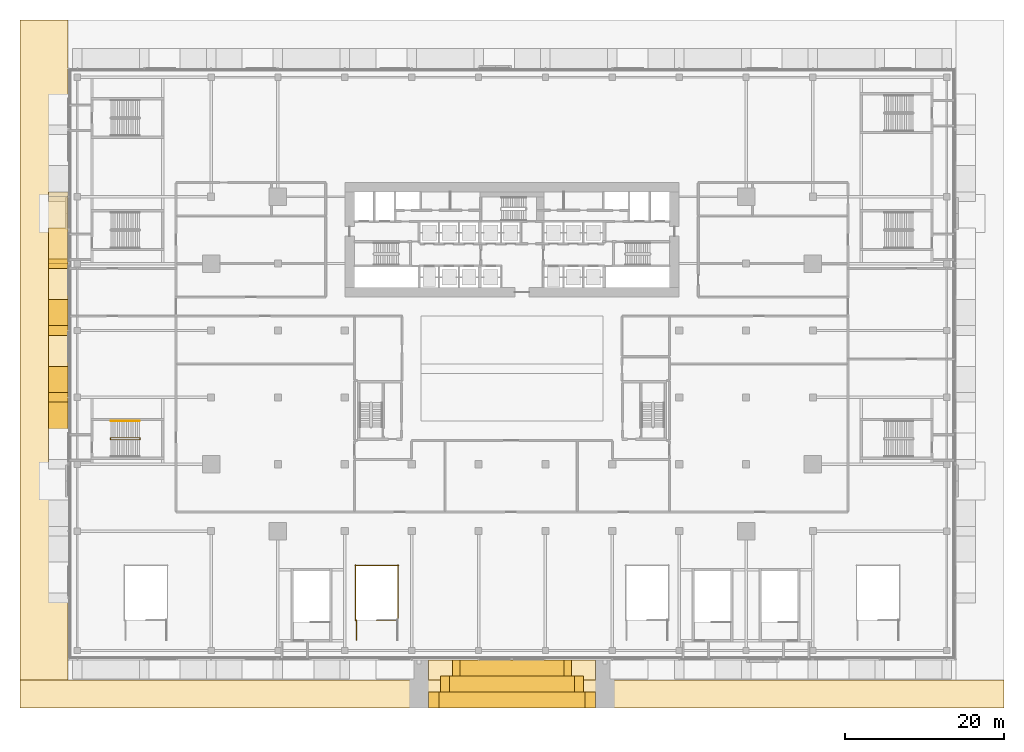
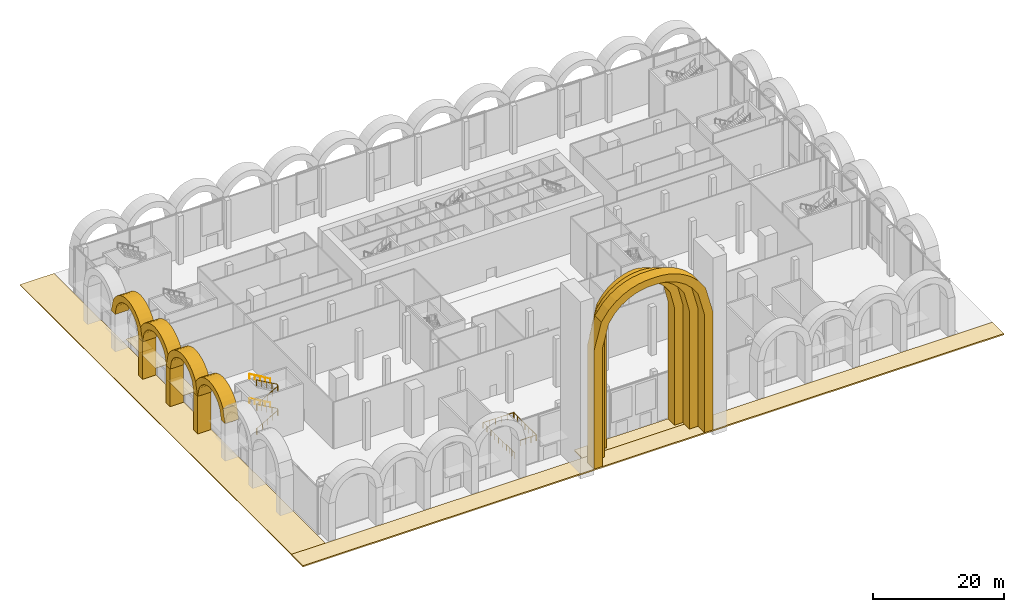
# One storey, part 35 of 43: 16 coverings, 4 railings.
"""IFC4 building model written with IfcOpenShell, lengths in metres."""

import ifcopenshell
import ifcopenshell.guid

model = None  # the IFC model being written
_history = None  # IfcOwnerHistory: only IFC2X3 demands one
_inside = {}  # id of a spatial element -> (the spatial element, [elements in it])
_under = {}  # id of a project, library or spatial element -> (it, [spatial elements below it])
_declared = {}  # id of a project -> (the project, [libraries it declares])
_typed = {}  # id of a type object -> (the type object, [elements of that type])
_made_of = {}  # id of a material, layer set ... -> (it, [elements and type objects made of it])


def new_model(schema):
    """Start an empty IFC model of exactly this schema.

    Asked for "IFC4X3", IfcOpenShell would pick the latest addendum, in which some entities
    have other attributes; the version numbers below select the first issue.
    IFC2X3 requires an IfcOwnerHistory on every rooted entity: one is made here for all.
    """
    global model, _history
    if schema == "IFC4X3":
        model = ifcopenshell.file(schema_version=(4, 3, 0, 0))
    else:
        model = ifcopenshell.file(schema=schema)
    _inside.clear()
    _under.clear()
    _declared.clear()
    _typed.clear()
    _made_of.clear()
    _history = None
    if model.schema == "IFC2X3":
        org = make("IfcOrganization", Name="unknown")
        user = make(
            "IfcPersonAndOrganization",
            ThePerson=make("IfcPerson", FamilyName="unknown"),
            TheOrganization=org,
        )
        app = make(
            "IfcApplication",
            ApplicationDeveloper=org,
            Version="unknown",
            ApplicationFullName="unknown",
            ApplicationIdentifier="unknown",
        )
        _history = make(
            "IfcOwnerHistory",
            OwningUser=user,
            OwningApplication=app,
            ChangeAction="ADDED",
            CreationDate=0,
        )
    return model


def make(cls, **values):
    """One entity of the class cls with the attributes given. An attribute that is None is left unset."""
    return model.create_entity(
        cls, **{name: value for name, value in values.items() if value is not None}
    )


def rooted(cls, **values):
    """An entity with a GlobalId (a new one), such as an element, a storey or a relation."""
    return make(cls, GlobalId=ifcopenshell.guid.new(), OwnerHistory=_history, **values)


def si_unit(unit_type, name, prefix=None):
    """IfcSIUnit, for example si_unit("LENGTHUNIT", "METRE", prefix="MILLI")."""
    return make("IfcSIUnit", UnitType=unit_type, Prefix=prefix, Name=name)


def assignment(units):
    """IfcUnitAssignment: the units of a project."""
    return None if units is None else make("IfcUnitAssignment", Units=units)


def point(xyz):
    """IfcCartesianPoint."""
    return None if xyz is None else make("IfcCartesianPoint", Coordinates=xyz)


def direction(xyz):
    """IfcDirection."""
    return None if xyz is None else make("IfcDirection", DirectionRatios=xyz)


def frame(location, z_axis=None, x_axis=None):
    """IfcAxis2Placement3D, a coordinate frame: its origin and axes. An axis left out is left unset."""
    return make(
        "IfcAxis2Placement3D",
        Location=point(location),
        Axis=direction(z_axis),
        RefDirection=direction(x_axis),
    )


def frame_2d(location, x_axis=None):
    """IfcAxis2Placement2D, a coordinate frame in the plane: its origin and x axis."""
    return make(
        "IfcAxis2Placement2D", Location=point(location), RefDirection=direction(x_axis)
    )


def origin():
    """The frame at (0, 0, 0) with its axes left unset."""
    return frame((0.0, 0.0, 0.0))


def origin_2d():
    """The frame at (0, 0) in the plane with its x axis left unset."""
    return frame_2d((0.0, 0.0))


def place(relative_to, where):
    """IfcLocalPlacement: puts the frame where relative to a parent placement (None: the world)."""
    return make(
        "IfcLocalPlacement", PlacementRelTo=relative_to, RelativePlacement=where
    )


def context(
    kind, dimensions, precision=None, world=None, true_north=None, identifier=None
):
    """IfcGeometricRepresentationContext, for example the 3D "Model" context."""
    return make(
        "IfcGeometricRepresentationContext",
        ContextIdentifier=identifier,
        ContextType=kind,
        CoordinateSpaceDimension=dimensions,
        Precision=precision,
        WorldCoordinateSystem=world,
        TrueNorth=true_north,
    )


def subcontext(parent, identifier, kind, view, scale=None):
    """IfcGeometricRepresentationSubContext, for example "Body" below "Model"."""
    return make(
        "IfcGeometricRepresentationSubContext",
        ContextIdentifier=identifier,
        ContextType=kind,
        ParentContext=parent,
        TargetScale=scale,
        TargetView=view,
    )


def project(units=None, contexts=None):
    """IfcProject with its units and contexts."""
    return rooted(
        "IfcProject",
        Name="project",
        RepresentationContexts=contexts,
        UnitsInContext=assignment(units),
    )


def spatial(cls, under=None, at=None, **own):
    """A site, building, storey or space (cls), placed at a placement, below another one or the project."""
    s = rooted(cls, ObjectPlacement=at, **own)
    if under is not None:
        _under.setdefault(under.id(), (under, []))[1].append(s)
    return s


def polyline(points):
    """IfcPolyline through the points."""
    return make("IfcPolyline", Points=[point(p) for p in points])


def profile(cls, at=None, kind="AREA", **sizes):
    """A parametric profile (cls). Its sizes go by their IFC names, for example OverallWidth=200.0."""
    return make(cls, ProfileType=kind, Position=at, **sizes)


def circle(**sizes):
    """IfcCircleProfileDef."""
    return profile("IfcCircleProfileDef", **sizes)


def outline(outer, holes=None, kind="AREA"):
    """IfcArbitraryClosedProfileDef: a profile drawn as a closed curve; with holes, ...WithVoids."""
    if holes is None:
        return make("IfcArbitraryClosedProfileDef", ProfileType=kind, OuterCurve=outer)
    return make(
        "IfcArbitraryProfileDefWithVoids",
        ProfileType=kind,
        OuterCurve=outer,
        InnerCurves=holes,
    )


def extrude(swept, where, along, depth):
    """IfcExtrudedAreaSolid: the profile swept, set in the frame where, extruded along a direction by depth."""
    return make(
        "IfcExtrudedAreaSolid",
        SweptArea=swept,
        Position=where,
        ExtrudedDirection=direction(along),
        Depth=depth,
    )


def shape(context_of_items, identifier, shape_type, items):
    """IfcShapeRepresentation: the items that make up one representation, for example the "Body"."""
    return make(
        "IfcShapeRepresentation",
        ContextOfItems=context_of_items,
        RepresentationIdentifier=identifier,
        RepresentationType=shape_type,
        Items=items,
    )


def material(Name=None, Category=None):
    """IfcMaterial."""
    return make("IfcMaterial", Name=Name, Category=Category)


def layer(
    of_material, thickness, ventilated=None, Name=None, Category=None, Priority=None
):
    """IfcMaterialLayer: one layer of a wall or slab, of a material (None: an air gap)."""
    return make(
        "IfcMaterialLayer",
        Material=of_material,
        LayerThickness=thickness,
        IsVentilated=ventilated,
        Name=Name,
        Category=Category,
        Priority=Priority,
    )


def layer_set(layers, Name=None):
    """IfcMaterialLayerSet."""
    return make("IfcMaterialLayerSet", MaterialLayers=layers, LayerSetName=Name)


def made_of(thing, what):
    """Note that an element or type object is made of a material, layer set ...; save() writes the relation."""
    if what is not None:
        _made_of.setdefault(what.id(), (what, []))[1].append(thing)
    return thing


def type_object(cls, material=None, **own):
    """A type object (cls), such as IfcWallType, which elements share."""
    return made_of(rooted(cls, **own), material)


def element(
    cls,
    number,
    at=None,
    inside=None,
    cuts=None,
    type_object=None,
    material=None,
    context=None,
    identifier="Body",
    shape_type=None,
    held_by="IfcProductDefinitionShape",
    body=None,
    shapes=None,
    **own,
):
    """One element of the class cls, such as IfcWall. Its Tag is "e" and its number.

    at: its placement. inside: the storey or other place that contains it. cuts: it is an
    opening in that element (IfcRelVoidsElement). A single representation is given by context,
    identifier, shape_type and body (its items); several are given by shapes. held_by: the class
    of the entity that holds the representations. save() writes the other relations.
    """
    e = rooted(cls, Tag="e%d" % number, ObjectPlacement=at, **own)
    if body is not None:
        shapes = [shape(context, identifier, shape_type, body)]
    if shapes is not None:
        e.Representation = make(held_by, Representations=shapes)
    if inside is not None:
        _inside.setdefault(inside.id(), (inside, []))[1].append(e)
    if cuts is not None:
        rooted(
            "IfcRelVoidsElement", RelatingBuildingElement=cuts, RelatedOpeningElement=e
        )
    if type_object is not None:
        _typed.setdefault(type_object.id(), (type_object, []))[1].append(e)
    return made_of(e, material)


def aggregate(whole, parts):
    """IfcRelAggregates: a whole, such as a stair, and the parts it consists of."""
    return rooted("IfcRelAggregates", RelatingObject=whole, RelatedObjects=parts)


def save(model, path):
    """Write the relations noted so far, then the file.

    IfcRelAggregates (storeys below a building ...), IfcRelContainedInSpatialStructure (elements
    in a storey), IfcRelDefinesByType, IfcRelAssociatesMaterial and IfcRelDeclares: one each for
    every whole, place, type object, material and project.
    """
    for whole, parts in _under.values():
        aggregate(whole, parts)
    for where, things in _inside.values():
        rooted(
            "IfcRelContainedInSpatialStructure",
            RelatedElements=things,
            RelatingStructure=where,
        )
    for kind, things in _typed.values():
        rooted("IfcRelDefinesByType", RelatedObjects=things, RelatingType=kind)
    for what, things in _made_of.values():
        rooted("IfcRelAssociatesMaterial", RelatedObjects=things, RelatingMaterial=what)
    for by, libraries in _declared.values():
        rooted("IfcRelDeclares", RelatingContext=by, RelatedDefinitions=libraries)
    model.write(path)


model = new_model("IFC4")

# Units and contexts
model_context = context("Model", 3, precision=1e-05, world=origin(), true_north=direction((0.0, 1.0)))
body_context = subcontext(model_context, "Body", "Model", "MODEL_VIEW")
ifc_project = project(units=[si_unit("LENGTHUNIT", "METRE"), si_unit("AREAUNIT", "SQUARE_METRE"), si_unit("VOLUMEUNIT", "CUBIC_METRE"), si_unit("PLANEANGLEUNIT", "RADIAN"), si_unit("MASSUNIT", "GRAM", prefix="KILO")], contexts=[model_context])

# Site, building, storey
site_placement = place(None, origin())
site = spatial("IfcSite", under=ifc_project, at=site_placement, CompositionType="ELEMENT")
building_placement = place(site_placement, origin())
building = spatial("IfcBuilding", under=site, at=building_placement, Name="Saffron Gate Tower", CompositionType="ELEMENT")
storey_placement = place(building_placement, origin())
storey = spatial("IfcBuildingStorey", under=building, at=storey_placement, Name="L00", CompositionType="ELEMENT", Elevation=0.0)

# Coverings
ifc_material_1 = material(Name="Cast stone cladding, pale limestone", Category="masonry")
ifc_layer_1 = layer(ifc_material_1, 1.199951171875)
ifc_layer_set_1 = layer_set([ifc_layer_1], Name="AR1 arcade pier")
covering_type_1 = type_object("IfcCoveringType", Name="AR1 arcade pier", PredefinedType="CLADDING", material=ifc_layer_set_1)
covering_1_placement = place(storey_placement, origin())
element("IfcCovering", 1, at=covering_1_placement, inside=storey, type_object=covering_type_1, Name="ARCADE PIER", PredefinedType="CLADDING", context=body_context, shape_type="SweptSolid", body=[
    extrude(outline(polyline([(31.800048828125, 66.0), (31.800048828125, 64.800048828125), (29.39990234375, 64.800048828125), (29.39990234375, 66.0), (31.800048828125, 66.0)])), origin(), (0.0, 0.0, 1.0), 7.0),
])
covering_2_placement = place(storey_placement, origin())
element("IfcCovering", 2, at=covering_2_placement, inside=storey, type_object=covering_type_1, Name="ARCADE PIER", PredefinedType="CLADDING", context=body_context, shape_type="SweptSolid", body=[
    extrude(outline(polyline([(31.800048828125, 57.60009765625), (31.800048828125, 56.39990234375), (29.39990234375, 56.39990234375), (29.39990234375, 57.60009765625), (31.800048828125, 57.60009765625)])), origin(), (0.0, 0.0, 1.0), 7.0),
])
covering_3_placement = place(storey_placement, origin())
element("IfcCovering", 3, at=covering_3_placement, inside=storey, type_object=covering_type_1, Name="ARCADE PIER", PredefinedType="CLADDING", context=body_context, shape_type="SweptSolid", body=[
    extrude(outline(polyline([(31.800048828125, 49.199951171875), (31.800048828125, 48.0), (29.39990234375, 48.0), (29.39990234375, 49.199951171875), (31.800048828125, 49.199951171875)])), origin(), (0.0, 0.0, 1.0), 7.0),
])
ifc_layer_2 = layer(ifc_material_1, 2.39990234375)
ifc_layer_set_2 = layer_set([ifc_layer_2], Name="AR2 arcade arch")
covering_type_2 = type_object("IfcCoveringType", Name="AR2 arcade arch", PredefinedType="CLADDING", material=ifc_layer_set_2)
covering_4_placement = place(storey_placement, frame((29.39990234375, 73.199951171875, 7.0), z_axis=(-1.0, 0.0, 0.0), x_axis=(0.0, -0.239115028028, 0.970991247835)))
element("IfcCovering", 4, at=covering_4_placement, inside=storey, type_object=covering_type_2, Name="ARCADE ARCH", PredefinedType="CLADDING", context=body_context, shape_type="SweptSolid", body=[
    extrude(outline(polyline([(0.0, 0.0), (1.881735228381075, 0.0), (2.646925345116447, -0.2749589311548678), (3.203267002539746, -0.6013486093049456), (3.6394784237266933, -0.9575728359066504), (3.990290439579541, -1.334575973358484), (4.272829633319021, -1.7283918862185135), (4.4965783413497675, -2.136685466791156), (4.666988907104446, -2.558114028151451), (4.7118168931901065, -3.0107198248883336), (4.70324835930731, -3.4762235440027536), (4.63588933971578, -3.956204930829786), (4.500257498010882, -4.452999093065014), (4.279284628664273, -4.970809224560487), (3.9381815230813135, -5.518453904507588), (3.3881715804938914, -6.117292273039781), (1.721616526260766, -6.991089572726843), (2.0085428843554953, -8.156231658446298), (4.17216134140188, -7.005647442456348), (4.878523373773681, -6.213673843174959), (5.310371767231315, -5.489301611680691), (5.5839235204239435, -4.804162737112771), (5.743391800658454, -4.146866474174116), (5.8116509706907475, -3.512282681215563), (5.800200137231722, -2.897076734489788), (5.715735313457013, -2.29985111702), (5.513273779136993, -1.7319346487703329), (5.237739876808899, -1.1817614513665375), (4.882612726374266, -0.6514402170157529), (4.436159710352636, -0.14335733582483634), (3.8756815990652784, 0.3366458753266979), (3.1569068475129147, 0.7774157295518843), (2.1635600793539953, 1.1508212744000663), (-0.2869263580947294, 1.1651420857194545), (0.0, 0.0)])), origin(), (0.0, 0.0, -1.0), 2.39990234375),
])
covering_5_placement = place(storey_placement, frame((29.39990234375, 64.800048828125, 7.0), z_axis=(-1.0, 0.0, 0.0), x_axis=(0.0, -0.239115028028, 0.970991247835)))
element("IfcCovering", 5, at=covering_5_placement, inside=storey, type_object=covering_type_2, Name="ARCADE ARCH", PredefinedType="CLADDING", context=body_context, shape_type="SweptSolid", body=[
    extrude(outline(polyline([(0.0, 0.0), (1.881735228381075, 0.0), (2.6469837228088364, -0.2751959895649837), (3.203325380232136, -0.6015856677150615), (3.6394784237266933, -0.9575728359066504), (3.990290439579541, -1.334575973358484), (4.272829633319021, -1.7283918862185135), (4.496636719042157, -2.1369225252012716), (4.667047284796835, -2.5583510865615673), (4.7118168931901065, -3.0107198248883336), (4.70324835930731, -3.4762235440027536), (4.63588933971578, -3.956204930829786), (4.50031587570327, -4.45323615147513), (4.2793430063566635, -4.971046282970603), (3.9381815230813135, -5.518453904507588), (3.3881715804938914, -6.117292273039781), (1.721616526260766, -6.991089572726843), (2.008601262047885, -8.156468716856415), (4.17216134140188, -7.005647442456348), (4.878523373773681, -6.213673843174959), (5.310430144923704, -5.489538670090807), (5.5839235204239435, -4.804162737112771), (5.743450178350844, -4.147103532584232), (5.8116509706907475, -3.512282681215563), (5.800200137231722, -2.897076734489788), (5.715793691149402, -2.300088175430116), (5.513273779136993, -1.7319346487703329), (5.237798254501289, -1.1819985097766537), (4.882612726374266, -0.6514402170157529), (4.436159710352636, -0.14335733582483634), (3.875739976757668, 0.336408816916582), (3.1569068475129147, 0.7774157295518843), (2.163618457046385, 1.1505842159899504), (-0.2869263580947294, 1.1651420857194545), (0.0, 0.0)])), origin(), (0.0, 0.0, -1.0), 2.39990234375),
])
covering_6_placement = place(storey_placement, frame((29.39990234375, 56.39990234375, 7.0), z_axis=(-1.0, 0.0, 0.0), x_axis=(0.0, -0.239115028028, 0.970991247835)))
element("IfcCovering", 6, at=covering_6_placement, inside=storey, type_object=covering_type_2, Name="ARCADE ARCH", PredefinedType="CLADDING", context=body_context, shape_type="SweptSolid", body=[
    extrude(outline(polyline([(0.0, 0.0), (1.881735228381075, 0.0), (2.646925345116447, -0.2749589311548678), (3.203267002539746, -0.6013486093049456), (3.639420046034304, -0.9573357774965345), (3.990290439579541, -1.334575973358484), (4.272829633319021, -1.7283918862185135), (4.4965783413497675, -2.136685466791156), (4.666988907104446, -2.558114028151451), (4.711758515497717, -3.010482766478218), (4.70324835930731, -3.4762235440027536), (4.63588933971578, -3.956204930829786), (4.500257498010882, -4.452999093065014), (4.279284628664273, -4.970809224560487), (3.938123145388924, -5.518216846097472), (3.3881715804938914, -6.117292273039781), (1.721616526260766, -6.991089572726843), (2.0085428843554953, -8.156231658446298), (4.172102963709491, -7.005410384046232), (4.878523373773681, -6.213673843174959), (5.310371767231315, -5.489301611680691), (5.5839235204239435, -4.804162737112771), (5.743391800658454, -4.146866474174116), (5.811592592998358, -3.512045622805447), (5.800200137231722, -2.897076734489788), (5.715735313457013, -2.29985111702), (5.513273779136993, -1.7319346487703329), (5.237739876808899, -1.1817614513665375), (4.882554348681876, -0.651203158605637), (4.436159710352636, -0.14335733582483634), (3.8756815990652784, 0.3366458753266979), (3.1569068475129147, 0.7774157295518843), (2.1635600793539953, 1.1508212744000663), (-0.28698473578711897, 1.1653791441295704), (0.0, 0.0)])), origin(), (0.0, 0.0, -1.0), 2.39990234375),
])
covering_7_placement = place(storey_placement, frame((29.39990234375, 48.0, 7.0), z_axis=(-1.0, 0.0, 0.0), x_axis=(0.0, -0.239115028028, 0.970991247835)))
element("IfcCovering", 7, at=covering_7_placement, inside=storey, type_object=covering_type_2, Name="ARCADE ARCH", PredefinedType="CLADDING", context=body_context, shape_type="SweptSolid", body=[
    extrude(outline(polyline([(0.0, 0.0), (1.881735228381075, 0.0), (2.646925345116447, -0.2749589311548678), (3.203325380232136, -0.6015856677150615), (3.6394784237266933, -0.9575728359066504), (3.990290439579541, -1.334575973358484), (4.272829633319021, -1.7283918862185135), (4.4965783413497675, -2.136685466791156), (4.667047284796835, -2.5583510865615673), (4.7118168931901065, -3.0107198248883336), (4.70324835930731, -3.4762235440027536), (4.63588933971578, -3.956204930829786), (4.500257498010882, -4.452999093065014), (4.2793430063566635, -4.971046282970603), (3.9381815230813135, -5.518453904507588), (3.3881715804938914, -6.117292273039781), (1.721616526260766, -6.991089572726843), (2.0085428843554953, -8.156231658446298), (4.17216134140188, -7.005647442456348), (4.878523373773681, -6.213673843174959), (5.310430144923704, -5.489538670090807), (5.5839235204239435, -4.804162737112771), (5.743391800658454, -4.146866474174116), (5.8116509706907475, -3.512282681215563), (5.800200137231722, -2.897076734489788), (5.715793691149402, -2.300088175430116), (5.513273779136993, -1.7319346487703329), (5.237739876808899, -1.1817614513665375), (4.882612726374266, -0.6514402170157529), (4.436159710352636, -0.14335733582483634), (3.875739976757668, 0.336408816916582), (3.1569068475129147, 0.7774157295518843), (2.1635600793539953, 1.1508212744000663), (-0.2869263580947294, 1.1651420857194545), (0.0, 0.0)])), origin(), (0.0, 0.0, -1.0), 2.39990234375),
])
ifc_material_2 = material(Name="Bronze-anodised aluminium soffit panels", Category="aluminium")
ifc_layer_3 = layer(ifc_material_2, 0.030029296875)
ifc_layer_set_3 = layer_set([ifc_layer_3], Name="CE1 canopy soffit lining")
covering_type_3 = type_object("IfcCoveringType", Name="CE1 canopy soffit lining", PredefinedType="CEILING", material=ifc_layer_set_3)
covering_8_placement = place(storey_placement, frame((0.0, 0.0, 4.3701171875)))
element("IfcCovering", 8, at=covering_8_placement, inside=storey, type_object=covering_type_3, Name="ENTRANCE CANOPY soffit lining", PredefinedType="CEILING", context=body_context, shape_type="SweptSolid", body=[
    extrude(outline(polyline([(31.800048828125, 57.300048828125), (31.800048828125, 52.5), (29.39990234375, 52.5), (29.39990234375, 57.300048828125), (31.800048828125, 57.300048828125)])), origin(), (0.0, 0.0, 1.0), 0.02978515625),
])
covering_9_placement = place(storey_placement, frame((0.0, 0.0, 4.3701171875)))
element("IfcCovering", 9, at=covering_9_placement, inside=storey, type_object=covering_type_3, Name="ENTRANCE CANOPY soffit lining", PredefinedType="CEILING", context=body_context, shape_type="SweptSolid", body=[
    extrude(outline(polyline([(31.800048828125, 65.699951171875), (31.800048828125, 60.89990234375), (29.39990234375, 60.89990234375), (29.39990234375, 65.699951171875), (31.800048828125, 65.699951171875)])), origin(), (0.0, 0.0, 1.0), 0.02978515625),
])
covering_10_placement = place(storey_placement, frame((0.0, 0.0, 4.3701171875)))
element("IfcCovering", 10, at=covering_10_placement, inside=storey, type_object=covering_type_3, Name="ENTRANCE CANOPY soffit lining", PredefinedType="CEILING", context=body_context, shape_type="SweptSolid", body=[
    extrude(outline(polyline([(31.800048828125, 69.89990234375), (31.800048828125, 65.10009765625), (29.39990234375, 65.10009765625), (29.39990234375, 69.89990234375), (31.800048828125, 69.89990234375)])), origin(), (0.0, 0.0, 1.0), 0.02978515625),
])

# Railings
ifc_material_3 = material(Name="Stainless steel and laminated glass", Category="steel")
railing_type_1 = type_object("IfcRailingType", Name="CR1 Stair guard 1100", PredefinedType="GUARDRAIL", material=ifc_material_3)
railing_1_placement = place(storey_placement, frame((68.050048828125, 18.10009765625, 0.0)))
element("IfcRailing", 11, at=railing_1_placement, inside=storey, type_object=railing_type_1, Name="L00 SS2 top well guard 1", PredefinedType="GUARDRAIL", context=body_context, shape_type="SweptSolid", body=[
    extrude(circle(Radius=0.02392578125, at=origin_2d()), frame((0.0, 0.0, 1.076171875), z_axis=(0.0, 1.0, 0.0), x_axis=(-1.0, 0.0, 0.0)), (0.0, 0.0, 1.0), 2.5498046875),
    extrude(circle(Radius=0.02392578125, at=origin_2d()), frame((0.0, 2.5498046875, 1.076171875), z_axis=(-0.707969631694, -0.706242876495, 0.0), x_axis=(0.706242876495, -0.707969631694, 0.0)), (0.0, 0.0, 1.0), 0.141357421875),
    extrude(circle(Radius=0.02392578125, at=origin_2d()), frame((-0.10009765625, 2.449951171875, 1.076171875), z_axis=(0.0, 1.0, 0.0), x_axis=(-1.0, 0.0, 0.0)), (0.0, 0.0, 1.0), 7.0),
    extrude(circle(Radius=0.02392578125, at=origin_2d()), frame((-0.10009765625, 9.449951171875, 1.076171875), z_axis=(-0.707106781187, -0.707106781187, 0.0), x_axis=(0.707106781187, -0.707106781187, 0.0)), (0.0, 0.0, 1.0), 0.07080078125),
    extrude(circle(Radius=0.02392578125, at=origin_2d()), frame((-0.150146484375, 9.39990234375, 1.076171875), z_axis=(1.0, 0.0, 0.0), x_axis=(0.0, 1.0, 0.0)), (0.0, 0.0, 1.0), 5.4501953125),
    extrude(circle(Radius=0.02392578125, at=origin_2d()), frame((5.300048828125, 9.39990234375, 1.076171875), z_axis=(-0.707106781187, 0.707106781187, 0.0), x_axis=(-0.707106781187, -0.707106781187, 0.0)), (0.0, 0.0, 1.0), 0.07080078125),
    extrude(circle(Radius=0.02392578125, at=origin_2d()), frame((5.25, 9.449951171875, 1.076171875), z_axis=(0.0, -1.0, 0.0), x_axis=(1.0, 0.0, 0.0)), (0.0, 0.0, 1.0), 7.0),
    extrude(circle(Radius=0.02392578125, at=origin_2d()), frame((5.25, 2.449951171875, 1.076171875), z_axis=(-0.707106781187, 0.707106781187, 0.0), x_axis=(-0.707106781187, -0.707106781187, 0.0)), (0.0, 0.0, 1.0), 0.07080078125),
    extrude(circle(Radius=0.02392578125, at=origin_2d()), frame((5.199951171875, 2.5, 1.076171875), z_axis=(-1.0, 0.0, 0.0), x_axis=(0.0, -1.0, 0.0)), (0.0, 0.0, 1.0), 2.699951171875),
    extrude(circle(Radius=0.02099609375, at=origin_2d()), origin(), (0.0, 0.0, 1.0), 1.052001953125),
    extrude(circle(Radius=0.02099609375, at=origin_2d()), frame((0.0, 0.849853515625, 0.0)), (0.0, 0.0, 1.0), 1.052001953125),
    extrude(circle(Radius=0.02099609375, at=origin_2d()), frame((0.0, 1.699951171875, 0.0)), (0.0, 0.0, 1.0), 1.052001953125),
    extrude(circle(Radius=0.02099609375, at=origin_2d()), frame((0.0, 2.5498046875, 0.0)), (0.0, 0.0, 1.0), 1.052001953125),
    extrude(circle(Radius=0.02099609375, at=origin_2d()), frame((-0.10009765625, 2.449951171875, 0.0)), (0.0, 0.0, 1.0), 1.052001953125),
    extrude(circle(Radius=0.02099609375, at=origin_2d()), frame((-0.10009765625, 3.61669921875, 0.0)), (0.0, 0.0, 1.0), 1.052001953125),
    extrude(circle(Radius=0.02099609375, at=origin_2d()), frame((-0.10009765625, 4.783203125, 0.0)), (0.0, 0.0, 1.0), 1.052001953125),
    extrude(circle(Radius=0.02099609375, at=origin_2d()), frame((-0.10009765625, 5.949951171875, 0.0)), (0.0, 0.0, 1.0), 1.052001953125),
    extrude(circle(Radius=0.02099609375, at=origin_2d()), frame((-0.10009765625, 7.11669921875, 0.0)), (0.0, 0.0, 1.0), 1.052001953125),
    extrude(circle(Radius=0.02099609375, at=origin_2d()), frame((-0.10009765625, 8.283203125, 0.0)), (0.0, 0.0, 1.0), 1.052001953125),
    extrude(circle(Radius=0.02099609375, at=origin_2d()), frame((-0.10009765625, 9.449951171875, 0.0)), (0.0, 0.0, 1.0), 1.052001953125),
    extrude(circle(Radius=0.02099609375, at=origin_2d()), frame((-0.150146484375, 9.39990234375, 0.0)), (0.0, 0.0, 1.0), 1.052001953125),
    extrude(circle(Radius=0.02099609375, at=origin_2d()), frame((0.93994140625, 9.39990234375, 0.0)), (0.0, 0.0, 1.0), 1.052001953125),
    extrude(circle(Radius=0.02099609375, at=origin_2d()), frame((2.030029296875, 9.39990234375, 0.0)), (0.0, 0.0, 1.0), 1.052001953125),
    extrude(circle(Radius=0.02099609375, at=origin_2d()), frame((3.119873046875, 9.39990234375, 0.0)), (0.0, 0.0, 1.0), 1.052001953125),
    extrude(circle(Radius=0.02099609375, at=origin_2d()), frame((4.2099609375, 9.39990234375, 0.0)), (0.0, 0.0, 1.0), 1.052001953125),
    extrude(circle(Radius=0.02099609375, at=origin_2d()), frame((5.300048828125, 9.39990234375, 0.0)), (0.0, 0.0, 1.0), 1.052001953125),
    extrude(circle(Radius=0.02099609375, at=origin_2d()), frame((5.25, 9.449951171875, 0.0)), (0.0, 0.0, 1.0), 1.052001953125),
    extrude(circle(Radius=0.02099609375, at=origin_2d()), frame((5.25, 8.283203125, 0.0)), (0.0, 0.0, 1.0), 1.052001953125),
    extrude(circle(Radius=0.02099609375, at=origin_2d()), frame((5.25, 7.11669921875, 0.0)), (0.0, 0.0, 1.0), 1.052001953125),
    extrude(circle(Radius=0.02099609375, at=origin_2d()), frame((5.25, 5.949951171875, 0.0)), (0.0, 0.0, 1.0), 1.052001953125),
    extrude(circle(Radius=0.02099609375, at=origin_2d()), frame((5.25, 4.783203125, 0.0)), (0.0, 0.0, 1.0), 1.052001953125),
    extrude(circle(Radius=0.02099609375, at=origin_2d()), frame((5.25, 3.61669921875, 0.0)), (0.0, 0.0, 1.0), 1.052001953125),
    extrude(circle(Radius=0.02099609375, at=origin_2d()), frame((5.25, 2.449951171875, 0.0)), (0.0, 0.0, 1.0), 1.052001953125),
    extrude(circle(Radius=0.02099609375, at=origin_2d()), frame((5.199951171875, 2.5, 0.0)), (0.0, 0.0, 1.0), 1.052001953125),
    extrude(circle(Radius=0.02099609375, at=origin_2d()), frame((4.300048828125, 2.5, 0.0)), (0.0, 0.0, 1.0), 1.052001953125),
    extrude(circle(Radius=0.02099609375, at=origin_2d()), frame((3.39990234375, 2.5, 0.0)), (0.0, 0.0, 1.0), 1.052001953125),
    extrude(circle(Radius=0.02099609375, at=origin_2d()), frame((2.5, 2.5, 0.0)), (0.0, 0.0, 1.0), 1.052001953125),
])
railing_2_placement = place(storey_placement, frame((37.14990234375, 43.47509765625, 0.0)))
element("IfcRailing", 12, at=railing_2_placement, inside=storey, type_object=railing_type_1, Name="L00 ST-H stair guard 1", PredefinedType="GUARDRAIL", context=body_context, shape_type="SweptSolid", body=[
    extrude(circle(Radius=0.02392578125, at=origin_2d()), frame((0.0, 0.0, 1.076171875), z_axis=(0.0, -1.0, 0.0), x_axis=(1.0, 0.0, 0.0)), (0.0, 0.0, 1.0), 0.150146484375),
    extrude(circle(Radius=0.02392578125, at=origin_2d()), frame((0.0, -0.150146484375, 1.076171875), z_axis=(0.285103605394, -0.285103605394, 0.91511303585), x_axis=(0.707106781187, 0.707106781187, 0.0)), (0.0, 0.0, 1.0), 0.175537109375),
    extrude(circle(Radius=0.02392578125, at=origin_2d()), frame((0.050048828125, -0.2001953125, 1.23681640625), z_axis=(0.867289372828, 0.0, 0.497804322781), x_axis=(0.0, 1.0, 0.0)), (0.0, 0.0, 1.0), 4.197021484375),
    extrude(circle(Radius=0.02392578125, at=origin_2d()), frame((3.690185546875, -0.2001953125, 3.326171875), z_axis=(0.705375805398, 0.708833529934, 0.0), x_axis=(-0.708833529934, 0.705375805398, 0.0)), (0.0, 0.0, 1.0), 0.070556640625),
    extrude(circle(Radius=0.02392578125, at=origin_2d()), frame((3.739990234375, -0.150146484375, 3.326171875), z_axis=(0.0, 1.0, 0.0), x_axis=(-1.0, 0.0, 0.0)), (0.0, 0.0, 1.0), 0.150146484375),
    extrude(circle(Radius=0.02392578125, at=origin_2d()), frame((3.739990234375, 0.0, 3.326171875), z_axis=(-0.283937562652, 0.283937562652, 0.915837824634), x_axis=(-0.707106781187, -0.707106781187, 0.0)), (0.0, 0.0, 1.0), 0.17529296875),
    extrude(circle(Radius=0.02392578125, at=origin_2d()), frame((3.690185546875, 0.0498046875, 3.48681640625), z_axis=(-0.867289372828, 0.0, 0.497804322781), x_axis=(0.0, -1.0, 0.0)), (0.0, 0.0, 1.0), 4.197021484375),
    extrude(circle(Radius=0.02392578125, at=origin_2d()), frame((0.050048828125, 0.0498046875, 5.576171875), z_axis=(-0.708833529934, -0.705375805398, 0.0), x_axis=(0.705375805398, -0.708833529934, 0.0)), (0.0, 0.0, 1.0), 0.070556640625),
    extrude(circle(Radius=0.02392578125, at=origin_2d()), frame((0.0, 0.0, 5.576171875), z_axis=(0.0, -1.0, 0.0), x_axis=(1.0, 0.0, 0.0)), (0.0, 0.0, 1.0), 0.150146484375),
    extrude(circle(Radius=0.02392578125, at=origin_2d()), frame((0.0, -0.150146484375, 5.576171875), z_axis=(0.285103605394, -0.285103605394, 0.91511303585), x_axis=(0.707106781187, 0.707106781187, 0.0)), (0.0, 0.0, 1.0), 0.175537109375),
    extrude(circle(Radius=0.02392578125, at=origin_2d()), frame((0.050048828125, -0.2001953125, 5.73681640625), z_axis=(0.867289372828, 0.0, 0.497804322781), x_axis=(0.0, 1.0, 0.0)), (0.0, 0.0, 1.0), 4.197021484375),
    extrude(circle(Radius=0.02392578125, at=origin_2d()), frame((3.690185546875, -0.2001953125, 7.826171875), z_axis=(0.705375805398, 0.708833529934, 0.0), x_axis=(-0.708833529934, 0.705375805398, 0.0)), (0.0, 0.0, 1.0), 0.070556640625),
    extrude(circle(Radius=0.02392578125, at=origin_2d()), frame((3.739990234375, -0.150146484375, 7.826171875), z_axis=(0.0, 1.0, 0.0), x_axis=(-1.0, 0.0, 0.0)), (0.0, 0.0, 1.0), 0.150146484375),
    extrude(circle(Radius=0.02392578125, at=origin_2d()), frame((3.739990234375, 0.0, 7.826171875), z_axis=(-0.283937562652, 0.283937562652, 0.915837824634), x_axis=(-0.707106781187, -0.707106781187, 0.0)), (0.0, 0.0, 1.0), 0.17529296875),
    extrude(circle(Radius=0.02392578125, at=origin_2d()), frame((3.690185546875, 0.0498046875, 7.98681640625), z_axis=(-0.867289372828, 0.0, 0.497804322781), x_axis=(0.0, -1.0, 0.0)), (0.0, 0.0, 1.0), 4.197021484375),
    extrude(circle(Radius=0.02099609375, at=origin_2d()), origin(), (0.0, 0.0, 1.0), 1.052001953125),
    extrude(circle(Radius=0.02099609375, at=origin_2d()), frame((0.0, -0.150146484375, 0.0)), (0.0, 0.0, 1.0), 1.052001953125),
    extrude(circle(Radius=0.02099609375, at=origin_2d()), frame((0.050048828125, -0.2001953125, 0.16064453125)), (0.0, 0.0, 1.0), 1.052001953125),
    extrude(circle(Radius=0.02099609375, at=origin_2d()), frame((0.9599609375, -0.2001953125, 0.68310546875)), (0.0, 0.0, 1.0), 1.052001953125),
    extrude(circle(Radius=0.02099609375, at=origin_2d()), frame((1.8701171875, -0.2001953125, 1.205322265625)), (0.0, 0.0, 1.0), 1.052001953125),
    extrude(circle(Radius=0.02099609375, at=origin_2d()), frame((2.7802734375, -0.2001953125, 1.7275390625)), (0.0, 0.0, 1.0), 1.052001953125),
    extrude(circle(Radius=0.02099609375, at=origin_2d()), frame((3.690185546875, -0.2001953125, 2.25)), (0.0, 0.0, 1.0), 1.052001953125),
    extrude(circle(Radius=0.02099609375, at=origin_2d()), frame((3.739990234375, -0.150146484375, 2.25)), (0.0, 0.0, 1.0), 1.052001953125),
    extrude(circle(Radius=0.02099609375, at=origin_2d()), frame((3.739990234375, 0.0, 2.25)), (0.0, 0.0, 1.0), 1.052001953125),
    extrude(circle(Radius=0.02099609375, at=origin_2d()), frame((3.690185546875, 0.0498046875, 2.41064453125)), (0.0, 0.0, 1.0), 1.052001953125),
    extrude(circle(Radius=0.02099609375, at=origin_2d()), frame((2.7802734375, 0.0498046875, 2.93310546875)), (0.0, 0.0, 1.0), 1.052001953125),
    extrude(circle(Radius=0.02099609375, at=origin_2d()), frame((1.8701171875, 0.0498046875, 3.455322265625)), (0.0, 0.0, 1.0), 1.052001953125),
    extrude(circle(Radius=0.02099609375, at=origin_2d()), frame((0.9599609375, 0.0498046875, 3.9775390625)), (0.0, 0.0, 1.0), 1.052001953125),
    extrude(circle(Radius=0.02099609375, at=origin_2d()), frame((0.050048828125, 0.0498046875, 4.5)), (0.0, 0.0, 1.0), 1.052001953125),
    extrude(circle(Radius=0.02099609375, at=origin_2d()), frame((0.0, 0.0, 4.5)), (0.0, 0.0, 1.0), 1.052001953125),
    extrude(circle(Radius=0.02099609375, at=origin_2d()), frame((0.0, -0.150146484375, 4.5)), (0.0, 0.0, 1.0), 1.052001953125),
    extrude(circle(Radius=0.02099609375, at=origin_2d()), frame((0.050048828125, -0.2001953125, 4.66064453125)), (0.0, 0.0, 1.0), 1.052001953125),
    extrude(circle(Radius=0.02099609375, at=origin_2d()), frame((0.9599609375, -0.2001953125, 5.18310546875)), (0.0, 0.0, 1.0), 1.052001953125),
    extrude(circle(Radius=0.02099609375, at=origin_2d()), frame((1.8701171875, -0.2001953125, 5.705322265625)), (0.0, 0.0, 1.0), 1.052001953125),
    extrude(circle(Radius=0.02099609375, at=origin_2d()), frame((2.7802734375, -0.2001953125, 6.2275390625)), (0.0, 0.0, 1.0), 1.052001953125),
    extrude(circle(Radius=0.02099609375, at=origin_2d()), frame((3.690185546875, -0.2001953125, 6.75)), (0.0, 0.0, 1.0), 1.052001953125),
    extrude(circle(Radius=0.02099609375, at=origin_2d()), frame((3.739990234375, -0.150146484375, 6.75)), (0.0, 0.0, 1.0), 1.052001953125),
    extrude(circle(Radius=0.02099609375, at=origin_2d()), frame((3.739990234375, 0.0, 6.75)), (0.0, 0.0, 1.0), 1.052001953125),
    extrude(circle(Radius=0.02099609375, at=origin_2d()), frame((3.690185546875, 0.0498046875, 6.91064453125)), (0.0, 0.0, 1.0), 1.052001953125),
    extrude(circle(Radius=0.02099609375, at=origin_2d()), frame((2.7802734375, 0.0498046875, 7.43310546875)), (0.0, 0.0, 1.0), 1.052001953125),
    extrude(circle(Radius=0.02099609375, at=origin_2d()), frame((1.8701171875, 0.0498046875, 7.955322265625)), (0.0, 0.0, 1.0), 1.052001953125),
    extrude(circle(Radius=0.02099609375, at=origin_2d()), frame((0.9599609375, 0.0498046875, 8.4775390625)), (0.0, 0.0, 1.0), 1.052001953125),
    extrude(circle(Radius=0.02099609375, at=origin_2d()), frame((0.050048828125, 0.0498046875, 9.0)), (0.0, 0.0, 1.0), 1.052001953125),
])
ifc_material_4 = material(Name="Stainless steel", Category="steel")
railing_type_2 = type_object("IfcRailingType", Name="CR2 Stair handrail 900", PredefinedType="HANDRAIL", material=ifc_material_4)
for number, where, name in (
    (13, (40.840087890625, 45.625, 2.41064453125), "L00 ST-H stair handrail 2"),
    (14, (40.840087890625, 45.625, 6.91064453125), "L00 ST-H stair handrail 4"),
):
    element("IfcRailing", number, at=place(storey_placement, frame(where)), inside=storey, type_object=railing_type_2, Name=name, PredefinedType="HANDRAIL", context=body_context, shape_type="SweptSolid", body=[
        extrude(circle(Radius=0.02392578125, at=origin_2d()), frame((0.0, 0.0, 0.8759765625), z_axis=(-0.867289372828, 0.0, 0.497804322781), x_axis=(0.0, -1.0, 0.0)), (0.0, 0.0, 1.0), 4.197021484375),
        extrude(circle(Radius=0.02099609375, at=origin_2d()), origin(), (0.0, 0.0, 1.0), 0.851806640625),
        extrude(circle(Radius=0.02099609375, at=origin_2d()), frame((-0.91015625, 0.0, 0.5224609375)), (0.0, 0.0, 1.0), 0.851806640625),
        extrude(circle(Radius=0.02099609375, at=origin_2d()), frame((-1.820068359375, 0.0, 1.044677734375)), (0.0, 0.0, 1.0), 0.851806640625),
        extrude(circle(Radius=0.02099609375, at=origin_2d()), frame((-2.72998046875, 0.0, 1.56689453125)), (0.0, 0.0, 1.0), 0.851806640625),
        extrude(circle(Radius=0.02099609375, at=origin_2d()), frame((-3.64013671875, 0.0, 2.08935546875)), (0.0, 0.0, 1.0), 0.851806640625),
    ])

# Coverings
ifc_layer_4 = layer(ifc_material_1, 2.0)
ifc_layer_set_4 = layer_set([ifc_layer_4], Name="IW2 iwan arch")
covering_type_4 = type_object("IfcCoveringType", Name="IW2 iwan arch", PredefinedType="CLADDING", material=ifc_layer_set_4)
covering_11_placement = place(storey_placement, frame((78.60009765625, 9.60009765625, 0.0), z_axis=(0.0, -1.0, 0.0), x_axis=(0.0, 0.0, 1.0)))
element("IfcCovering", 15, at=covering_11_placement, inside=storey, type_object=covering_type_4, Name="IWAN ARCH 1", PredefinedType="CLADDING", context=body_context, shape_type="SweptSolid", body=[
    extrude(outline(polyline([(0.0, 0.0), (22.0, 0.0), (26.267578125, -1.125), (27.82177734375, -2.25), (28.85888671875, -3.375), (29.593505859375, -4.5), (30.108642578125, -5.625), (30.444091796875, -6.75), (30.621337890625, -7.875), (30.64990234375, -9.0), (30.621337890625, -10.125), (30.444091796875, -11.25), (30.108642578125, -12.375), (29.593505859375, -13.5), (28.85888671875, -14.625), (27.82177734375, -15.75), (26.267578125, -16.875), (22.0, -18.0), (0.0, -18.0), (0.0, -19.5), (22.0, -19.5), (26.95556640625, -18.1875), (28.758056640625, -16.875), (29.958740234375, -15.5625), (30.806884765625, -14.25), (31.39892578125, -12.9375), (31.78125, -11.625), (31.97802734375, -10.3125), (32.0, -9.0), (31.97802734375, -7.6875), (31.78125, -6.375), (31.39892578125, -5.0625), (30.806884765625, -3.75), (29.958740234375, -2.4375), (28.758056640625, -1.125), (26.95556640625, 0.1875), (22.0, 1.5), (0.0, 1.5), (0.0, 0.0)])), origin(), (0.0, 0.0, -1.0), 2.0),
])
covering_12_placement = place(storey_placement, frame((80.10009765625, 11.60009765625, 0.0), z_axis=(0.0, -1.0, 0.0), x_axis=(0.0, 0.0, 1.0)))
element("IfcCovering", 16, at=covering_12_placement, inside=storey, type_object=covering_type_4, Name="IWAN ARCH 2", PredefinedType="CLADDING", context=body_context, shape_type="SweptSolid", body=[
    extrude(outline(polyline([(0.0, 0.0), (22.0, 0.0), (25.669921875, -0.9375), (27.017822265625, -1.875), (27.927001953125, -2.8125), (28.58203125, -3.75), (29.05419921875, -4.6875), (29.378173828125, -5.625), (29.573486328125, -6.5625), (29.64990234375, -7.5), (29.573486328125, -8.4375), (29.378173828125, -9.375), (29.05419921875, -10.3125), (28.58203125, -11.25), (27.927001953125, -12.1875), (27.017822265625, -13.125), (25.669921875, -14.0625), (22.0, -15.0), (0.0, -15.0), (0.0, -16.5), (22.0, -16.5), (26.357177734375, -15.375), (27.952880859375, -14.25), (29.025634765625, -13.125), (29.794189453125, -12.0), (30.34326171875, -10.875), (30.714111328125, -9.75), (30.929443359375, -8.625), (31.0, -7.5), (30.929443359375, -6.375), (30.714111328125, -5.25), (30.34326171875, -4.125), (29.794189453125, -3.0), (29.025634765625, -1.875), (27.952880859375, -0.75), (26.357177734375, 0.375), (22.0, 1.5), (0.0, 1.5), (0.0, 0.0)])), origin(), (0.0, 0.0, -1.0), 2.0),
])
covering_13_placement = place(storey_placement, frame((81.60009765625, 13.60009765625, 0.0), z_axis=(0.0, -1.0, 0.0), x_axis=(0.0, 0.0, 1.0)))
element("IfcCovering", 17, at=covering_13_placement, inside=storey, type_object=covering_type_4, Name="IWAN ARCH 3", PredefinedType="CLADDING", context=body_context, shape_type="SweptSolid", body=[
    extrude(outline(polyline([(0.0, 0.0), (22.0, 0.0), (25.07666015625, -0.75), (26.2197265625, -1.5), (27.002197265625, -2.25), (27.57763671875, -3.0), (28.00634765625, -3.75), (28.31787109375, -4.5), (28.529296875, -5.25), (28.64990234375, -6.0), (28.529296875, -6.75), (28.31787109375, -7.5), (28.00634765625, -8.25), (27.57763671875, -9.0), (27.002197265625, -9.75), (26.2197265625, -10.5), (25.07666015625, -11.25), (22.0, -12.0), (0.0, -12.0), (0.0, -13.5), (22.0, -13.5), (25.761962890625, -12.5625), (27.15234375, -11.625), (28.097900390625, -10.6875), (28.786865234375, -9.75), (29.292724609375, -8.8125), (29.651611328125, -7.875), (29.8837890625, -6.9375), (30.0, -6.0), (29.8837890625, -5.0625), (29.651611328125, -4.125), (29.292724609375, -3.1875), (28.786865234375, -2.25), (28.097900390625, -1.3125), (27.15234375, -0.375), (25.761962890625, 0.5625), (22.0, 1.5), (0.0, 1.5), (0.0, 0.0)])), origin(), (0.0, 0.0, -1.0), 2.0),
])
ifc_material_5 = material(Name="Granite paving on compacted base", Category="masonry")
ifc_layer_5 = layer(ifc_material_5, 0.199951171875)
ifc_layer_set_5 = layer_set([ifc_layer_5], Name="PV1 granite paving")
covering_type_5 = type_object("IfcCoveringType", Name="PV1 granite paving", PredefinedType="FLOORING", material=ifc_layer_set_5)
covering_14_placement = place(storey_placement, frame((0.0, 0.0, -0.199951171875)))
element("IfcCovering", 18, at=covering_14_placement, inside=storey, type_object=covering_type_5, Name="PAVING footway along the gate front", PredefinedType="FLOORING", context=body_context, shape_type="SweptSolid", body=[
    extrude(outline(polyline([(77.10009765625, 13.10009765625), (77.10009765625, 15.60009765625), (98.10009765625, 15.60009765625), (98.10009765625, 13.10009765625), (77.10009765625, 13.10009765625)])), origin(), (0.0, 0.0, 1.0), 0.199951171875),
])
ifc_material_6 = material(Name="Bituminous road surfacing on compacted base")
ifc_layer_6 = layer(ifc_material_6, 0.25)
ifc_layer_set_6 = layer_set([ifc_layer_6], Name="PV2 vehicle lane")
covering_type_6 = type_object("IfcCoveringType", Name="PV2 vehicle lane", PredefinedType="FLOORING", material=ifc_layer_set_6)
covering_15_placement = place(storey_placement, frame((0.0, 0.0, -0.25)))
element("IfcCovering", 19, at=covering_15_placement, inside=storey, type_object=covering_type_6, Name="PAVING vehicle drop-off lane", PredefinedType="FLOORING", context=body_context, shape_type="SweptSolid", body=[
    extrude(outline(polyline([(149.39990234375, 9.60009765625), (149.39990234375, 13.10009765625), (25.800048828125, 13.10009765625), (25.800048828125, 9.60009765625), (149.39990234375, 9.60009765625)])), origin(), (0.0, 0.0, 1.0), 0.25),
])
ifc_material_7 = material(Name="Sandstone paving on compacted base", Category="masonry")
ifc_layer_7 = layer(ifc_material_7, 0.14990234375)
ifc_layer_set_7 = layer_set([ifc_layer_7], Name="PV3 plaza paving")
covering_type_7 = type_object("IfcCoveringType", Name="PV3 plaza paving", PredefinedType="FLOORING", material=ifc_layer_set_7)
covering_16_placement = place(storey_placement, frame((0.0, 0.0, -0.14990234375)))
element("IfcCovering", 20, at=covering_16_placement, inside=storey, type_object=covering_type_7, Name="PAVING station plaza west", PredefinedType="FLOORING", context=body_context, shape_type="SweptSolid", body=[
    extrude(outline(polyline([(31.800048828125, 13.10009765625), (31.800048828125, 96.0), (25.800048828125, 96.0), (25.800048828125, 13.10009765625), (31.800048828125, 13.10009765625)])), origin(), (0.0, 0.0, 1.0), 0.14990234375),
])

save(model, "model.ifc")
